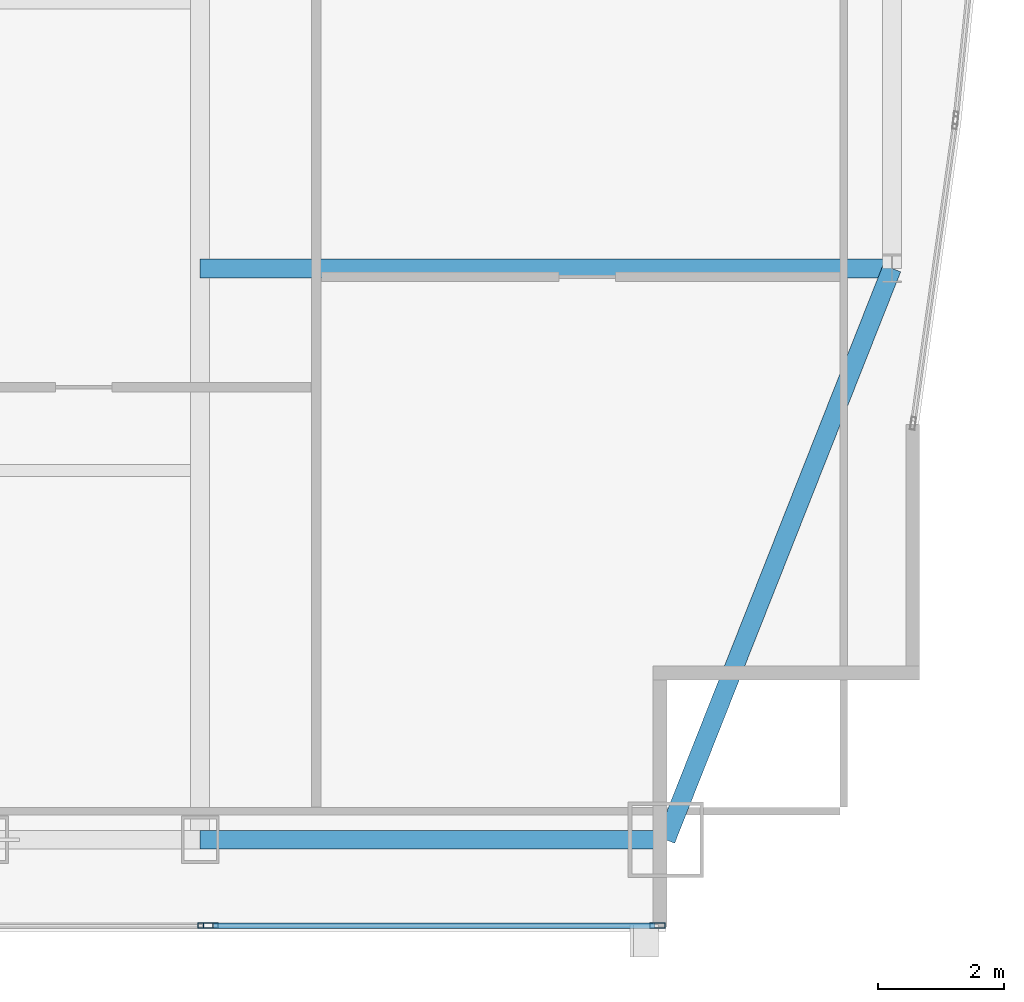
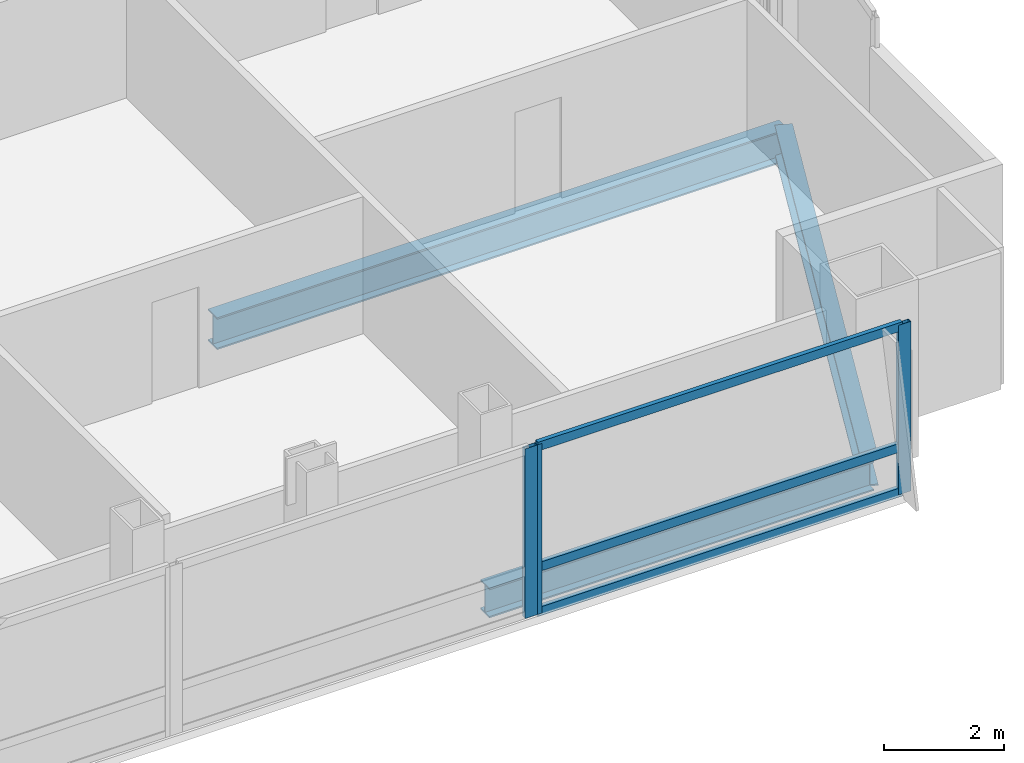
# One storey, part 16 of 32: 6 members, 3 beams, 2 elements without a shape of their own.
"""IFC4 building model written with IfcOpenShell, lengths in metres."""

from ifc_helpers import new_model, si_unit, direction, frame, origin, origin_2d, place, context, subcontext, project, spatial, hollow_rectangle, i_section, extrude, material, material_profile, profile_set, type_object, element, aggregate, save


model = new_model("IFC4")

# Units and contexts
model_context = context("Model", 3, precision=1e-05, world=origin(), true_north=direction((0.0, 1.0)))
body_context = subcontext(model_context, "Body", "Model", "MODEL_VIEW")
ifc_project = project(units=[si_unit("LENGTHUNIT", "METRE"), si_unit("AREAUNIT", "SQUARE_METRE"), si_unit("VOLUMEUNIT", "CUBIC_METRE"), si_unit("PLANEANGLEUNIT", "RADIAN"), si_unit("MASSUNIT", "GRAM", prefix="KILO")], contexts=[model_context])

# Site, building, storey
site_placement = place(None, origin())
site = spatial("IfcSite", under=ifc_project, at=site_placement, CompositionType="ELEMENT")
building_placement = place(site_placement, origin())
building = spatial("IfcBuilding", under=site, at=building_placement, Name="Khoronbel Lancet Exchange", CompositionType="ELEMENT")
storey_placement = place(building_placement, frame((0.0, 0.0, 228.199951171875)))
storey = spatial("IfcBuildingStorey", under=building, at=storey_placement, Name="L58", CompositionType="ELEMENT", Elevation=228.199951171875)

# Beams
ifc_material_1 = material(Name="Steel S355", Category="steel")
ifc_material_profile_1 = material_profile(ifc_material_1, i_section(OverallWidth=0.300048828125, OverallDepth=0.64990234375, WebThickness=0.01611328125, FlangeThickness=0.031005859375, at=origin_2d()), Name="HEB 650")
ifc_profile_set_1 = profile_set([ifc_material_profile_1], Name="Steel S355")
beam_type_1 = type_object("IfcBeamType", Name="BM-BG4", PredefinedType="BEAM", material=ifc_profile_set_1)
beam_1_placement = place(storey_placement, frame((54.675048828125, 19.199951171875, -0.48486328125), z_axis=(1.0, 0.0, 0.0), x_axis=(0.0, 1.0, 0.0)))
element("IfcBeam", 1, at=beam_1_placement, inside=storey, type_object=beam_type_1, Name="Level L58 east lens tie girder LG1E", PredefinedType="BEAM", context=body_context, shape_type="SweptSolid", body=[
    extrude(i_section(OverallWidth=0.300048828125, OverallDepth=0.64990234375, WebThickness=0.01611328125, FlangeThickness=0.031005859375, at=origin_2d()), origin(), (0.0, 0.0, 1.0), 10.954833984375),
])
ifc_material_profile_2 = material_profile(ifc_material_1, i_section(OverallWidth=0.300048828125, OverallDepth=0.60009765625, WebThickness=0.015380859375, FlangeThickness=0.030029296875, at=origin_2d()), Name="HEB 600")
ifc_profile_set_2 = profile_set([ifc_material_profile_2], Name="Steel S355")
beam_type_2 = type_object("IfcBeamType", Name="BM-BSP2", PredefinedType="SPANDREL", material=ifc_profile_set_2)
beam_2_placement = place(storey_placement, frame((54.675048828125, 10.14990234375, -0.4599609375), z_axis=(1.0, 0.0, 0.0), x_axis=(0.0, 1.0, 0.0)))
element("IfcBeam", 2, at=beam_2_placement, inside=storey, type_object=beam_type_2, Name="Level L58 perimeter spandrel beam SP09", PredefinedType="SPANDREL", context=body_context, shape_type="SweptSolid", body=[
    extrude(i_section(OverallWidth=0.300048828125, OverallDepth=0.60009765625, WebThickness=0.015380859375, FlangeThickness=0.030029296875, at=origin_2d()), origin(), (0.0, 0.0, 1.0), 7.375),
])
beam_3_placement = place(storey_placement, frame((62.050048828125, 10.14990234375, -0.4599609375), z_axis=(0.367828403855, 0.929893684954, 0.0), x_axis=(-0.929893684954, 0.367828403855, 0.0)))
element("IfcBeam", 3, at=beam_3_placement, inside=storey, type_object=beam_type_2, Name="Level L58 perimeter spandrel beam SP10", PredefinedType="SPANDREL", context=body_context, shape_type="SweptSolid", body=[
    extrude(i_section(OverallWidth=0.300048828125, OverallDepth=0.60009765625, WebThickness=0.015380859375, FlangeThickness=0.030029296875, at=origin_2d()), origin(), (0.0, 0.0, 1.0), 9.732421875),
])

# Curtain wall, member
ifc_material_2 = material(Name="Low-E Solar Control Insulating Glass", Category="glass")
curtain_wall_type = type_object("IfcCurtainWallType", Name="CW-3", PredefinedType="NOTDEFINED", material=ifc_material_2)
curtain_wall_1_placement = place(storey_placement, origin())
curtain_wall_1 = element("IfcCurtainWall", 4, at=curtain_wall_1_placement, inside=storey, type_object=curtain_wall_type, Name="Unitised curtain wall CW-L58-SEB", PredefinedType="NOTDEFINED")
ifc_material_3 = material(Name="Bronze-Anodised Aluminium 6063-T6", Category="aluminium")
ifc_material_profile_3 = material_profile(ifc_material_3, hollow_rectangle(XDim=0.0849609375, YDim=0.239990234375, WallThickness=0.006103515625, at=origin_2d()), Name="ALU MULLION 85x240")
ifc_profile_set_3 = profile_set([ifc_material_profile_3], Name="Bronze-Anodised Aluminium 6063-T6")
member_type_1 = type_object("IfcMemberType", Name="MEM-CWM1", PredefinedType="MULLION", material=ifc_profile_set_3)
member_1_placement = place(storey_placement, frame((54.757568359375, 8.7900390625, 0.0), z_axis=(0.0, 0.0, 1.0), x_axis=(0.0, 1.0, 0.0)))
member_1 = element("IfcMember", 5, at=member_1_placement, type_object=member_type_1, Name="CW3 mullion 2", PredefinedType="MULLION", context=body_context, shape_type="SweptSolid", body=[
    extrude(hollow_rectangle(XDim=0.0849609375, YDim=0.239990234375, WallThickness=0.006103515625, at=origin_2d()), origin(), (0.0, 0.0, 1.0), 3.43994140625),
])
aggregate(curtain_wall_1, [member_1])

# Curtain wall, members
curtain_wall_2_placement = place(storey_placement, origin())
curtain_wall_2 = element("IfcCurtainWall", 6, at=curtain_wall_2_placement, inside=storey, type_object=curtain_wall_type, Name="Unitised curtain wall CW-L58-SEV", PredefinedType="NOTDEFINED")
member_2_placement = place(storey_placement, frame((54.842529296875, 8.7900390625, 0.0), z_axis=(0.0, 0.0, 1.0), x_axis=(0.0, 1.0, 0.0)))
member_2 = element("IfcMember", 7, at=member_2_placement, type_object=member_type_1, Name="CW3 mullion 1", PredefinedType="MULLION", context=body_context, shape_type="SweptSolid", body=[
    extrude(hollow_rectangle(XDim=0.0849609375, YDim=0.239990234375, WallThickness=0.006103515625, at=origin_2d()), origin(), (0.0, 0.0, 1.0), 3.43994140625),
])
member_3_placement = place(storey_placement, frame((61.91748046875, 8.7900390625, 0.0), z_axis=(0.0, 0.0, 1.0), x_axis=(0.0, 1.0, 0.0)))
member_3 = element("IfcMember", 8, at=member_3_placement, type_object=member_type_1, Name="CW3 mullion 2", PredefinedType="MULLION", context=body_context, shape_type="SweptSolid", body=[
    extrude(hollow_rectangle(XDim=0.0849609375, YDim=0.239990234375, WallThickness=0.006103515625, at=origin_2d()), origin(), (0.0, 0.0, 1.0), 3.43994140625),
])
ifc_material_profile_4 = material_profile(ifc_material_3, hollow_rectangle(XDim=0.0849609375, YDim=0.179931640625, WallThickness=0.0048828125, at=origin_2d()), Name="ALU TRANSOM 85x180")
ifc_profile_set_4 = profile_set([ifc_material_profile_4], Name="Bronze-Anodised Aluminium 6063-T6")
member_type_2 = type_object("IfcMemberType", Name="MEM-CWT1", PredefinedType="USERDEFINED", material=ifc_profile_set_4)
member_4_placement = place(storey_placement, frame((54.885009765625, 8.7900390625, 0.04248046875), z_axis=(1.0, 0.0, 0.0), x_axis=(0.0, 1.0, 0.0)))
member_4 = element("IfcMember", 9, at=member_4_placement, type_object=member_type_2, Name="CW3 transom 1.1", ObjectType="TRANSOM", PredefinedType="USERDEFINED", context=body_context, shape_type="SweptSolid", body=[
    extrude(hollow_rectangle(XDim=0.0849609375, YDim=0.179931640625, WallThickness=0.0048828125, at=origin_2d()), origin(), (0.0, 0.0, 1.0), 6.989990234375),
])
member_5_placement = place(storey_placement, frame((54.885009765625, 8.7900390625, 0.949951171875), z_axis=(1.0, 0.0, 0.0), x_axis=(0.0, 1.0, 0.0)))
member_5 = element("IfcMember", 10, at=member_5_placement, type_object=member_type_2, Name="CW3 transom 1.2", ObjectType="TRANSOM", PredefinedType="USERDEFINED", context=body_context, shape_type="SweptSolid", body=[
    extrude(hollow_rectangle(XDim=0.0849609375, YDim=0.179931640625, WallThickness=0.0048828125, at=origin_2d()), origin(), (0.0, 0.0, 1.0), 6.989990234375),
])
member_6_placement = place(storey_placement, frame((54.885009765625, 8.7900390625, 3.3974609375), z_axis=(1.0, 0.0, 0.0), x_axis=(0.0, 1.0, 0.0)))
member_6 = element("IfcMember", 11, at=member_6_placement, type_object=member_type_2, Name="CW3 transom 1.3", ObjectType="TRANSOM", PredefinedType="USERDEFINED", context=body_context, shape_type="SweptSolid", body=[
    extrude(hollow_rectangle(XDim=0.0849609375, YDim=0.179931640625, WallThickness=0.0048828125, at=origin_2d()), origin(), (0.0, 0.0, 1.0), 6.989990234375),
])
aggregate(curtain_wall_2, [member_2, member_3, member_4, member_5, member_6])

save(model, "model.ifc")
